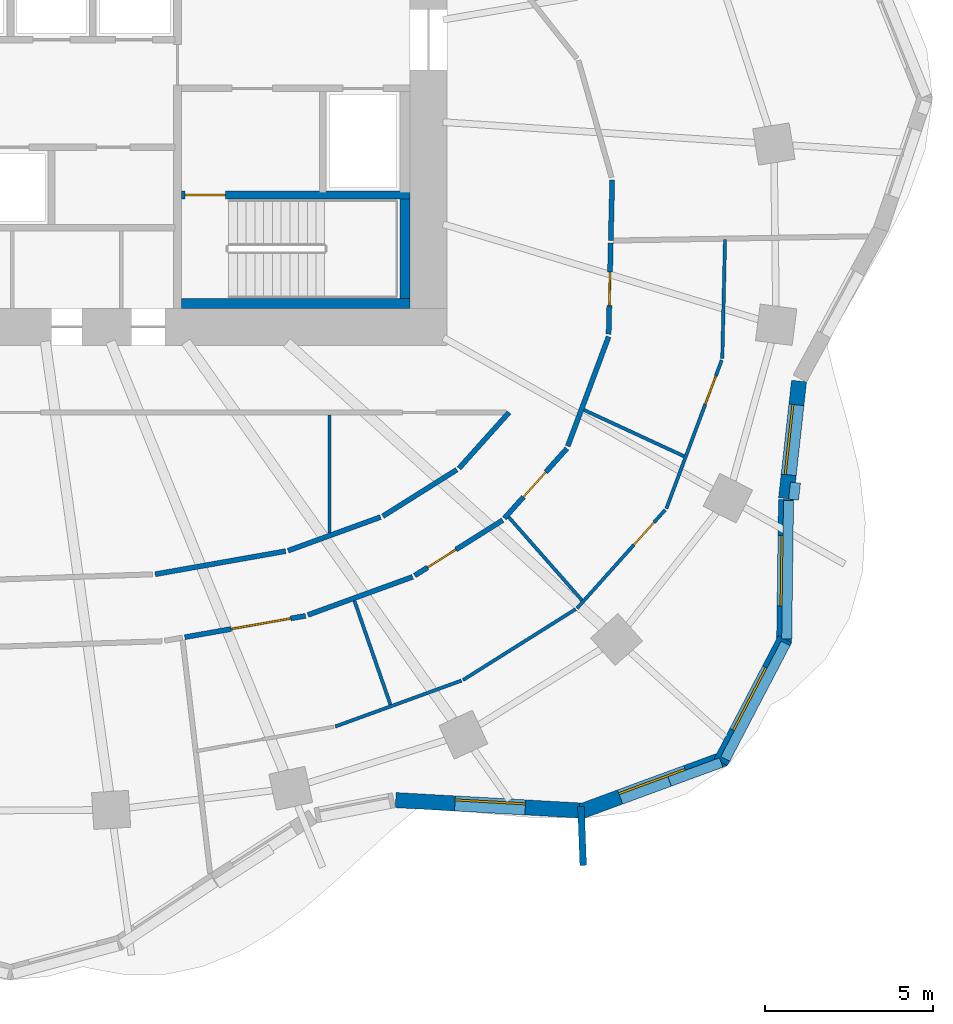
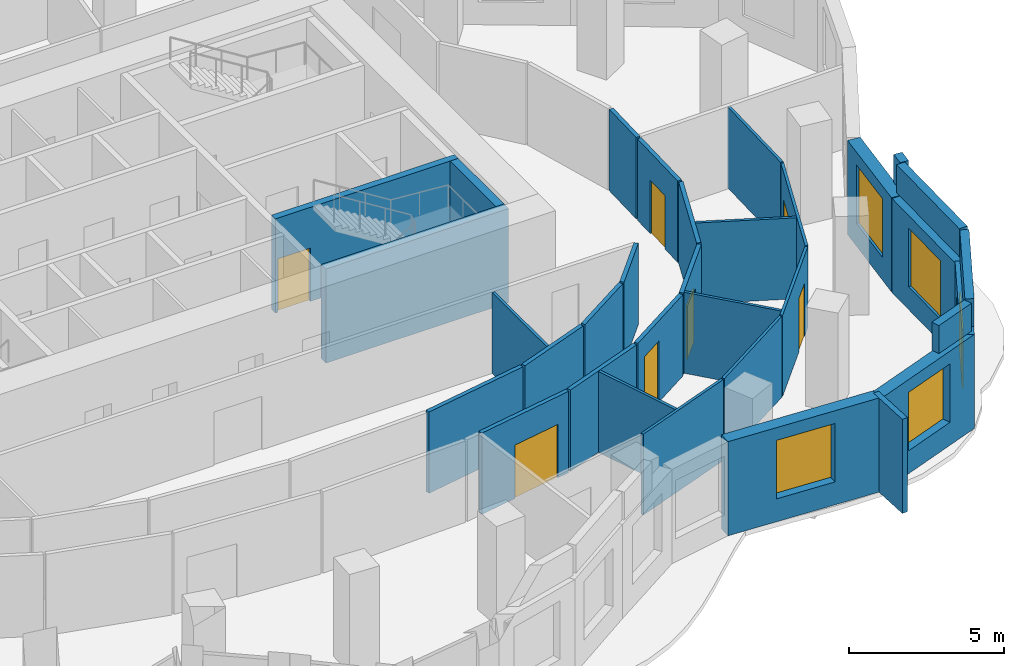
# One storey, part 6 of 10: 33 walls, 7 doors, 5 windows, 12 openings.
"""IFC4 building model written with IfcOpenShell, lengths in metres."""

from ifc_helpers import new_model, si_unit, direction, frame, frame_2d, origin, place, context, subcontext, project, spatial, rectangle, extrude, material, layer, layer_set, type_object, element, fill, save


model = new_model("IFC4")

# Units and contexts
model_context = context("Model", 3, precision=1e-05, world=origin(), true_north=direction((0.0, 1.0)))
body_context = subcontext(model_context, "Body", "Model", "MODEL_VIEW")
ifc_project = project(units=[si_unit("LENGTHUNIT", "METRE"), si_unit("AREAUNIT", "SQUARE_METRE"), si_unit("VOLUMEUNIT", "CUBIC_METRE"), si_unit("PLANEANGLEUNIT", "RADIAN"), si_unit("MASSUNIT", "GRAM", prefix="KILO")], contexts=[model_context])

# Site, building, storey
site_placement = place(None, origin())
site = spatial("IfcSite", under=ifc_project, at=site_placement, CompositionType="ELEMENT")
building_placement = place(site_placement, origin())
building = spatial("IfcBuilding", under=site, at=building_placement, Name="Rubra Terraces Tower", CompositionType="ELEMENT")
storey_placement = place(building_placement, frame((0.0, 0.0, 157.800048828125)))
storey = spatial("IfcBuildingStorey", under=building, at=storey_placement, Name="L38", CompositionType="ELEMENT", Elevation=157.800048828125)

# Wall, opening, window
ifc_material_1 = material(Name="Brick masonry red-brown", Category="masonry")
ifc_layer_1 = layer(ifc_material_1, 0.449951171875)
ifc_layer_set_1 = layer_set([ifc_layer_1], Name="Brick masonry red-brown")
wall_type_1 = type_object("IfcWallType", Name="Brick facade wall 450", PredefinedType="SOLIDWALL", material=ifc_layer_set_1)
wall_1_placement = place(storey_placement, frame((11.472900390625, -16.54296875, 0.0), z_axis=(0.0, 0.0, 1.0), x_axis=(0.998421029491, -0.056173373311, 0.0)))
wall_1 = element("IfcWall", 1, at=wall_1_placement, inside=storey, type_object=wall_type_1, Name="Facade wall L38 bay 35", PredefinedType="SOLIDWALL", context=body_context, shape_type="SweptSolid", body=[
    extrude(rectangle(XDim=5.632568359375, YDim=0.449951171875, at=frame_2d((2.81640625, 0.0))), origin(), (0.0, 0.0, 1.0), 3.699951171875),
])
opening_1_placement = place(wall_1_placement, frame((1.766357421875, 0.0, 0.89990234375)))
opening_1 = element("IfcOpeningElement", 2, at=opening_1_placement, cuts=wall_1, Name="Opening W1B", PredefinedType="OPENING", context=body_context, shape_type="SweptSolid", body=[
    extrude(rectangle(XDim=2.10009765625, YDim=2.300048828125, at=frame_2d((1.050048828125, 1.14990234375))), frame((0.0, 0.23486328125, 0.0), z_axis=(0.0, -1.0, 0.0), x_axis=(1.0, 0.0, 0.0)), (0.0, 0.0, 1.0), 0.469970703125),
])
ifc_material_2 = material(Name="Clear glass in aluminium frame", Category="aluminium")
window_type = type_object("IfcWindowType", Name="Fixed deep-set window tall storey 2100 x 2300", PartitioningType="SINGLE_PANEL", PredefinedType="WINDOW", material=ifc_material_2)
window_1_placement = place(opening_1_placement, origin())
window_1 = element("IfcWindow", 3, at=window_1_placement, inside=storey, type_object=window_type, Name="Window L38 bay 35", OverallHeight=2.300048828125, OverallWidth=2.10009765625, PartitioningType="SINGLE_PANEL", PredefinedType="WINDOW", context=body_context, shape_type="SweptSolid", body=[
    extrude(rectangle(XDim=2.10009765625, YDim=2.300048828125, at=frame_2d((1.050048828125, 1.14990234375))), frame((0.0, 0.135009765625, 0.0), z_axis=(0.0, -1.0, 0.0), x_axis=(1.0, 0.0, 0.0)), (0.0, 0.0, 1.0), 0.06005859375),
])
fill(opening_1, window_1)

wall_2_placement = place(storey_placement, frame((17.00634765625, -16.872802734375, 0.0), z_axis=(0.0, 0.0, 1.0), x_axis=(0.938563728531, 0.345105965591, 0.0)))
wall_2 = element("IfcWall", 4, at=wall_2_placement, inside=storey, type_object=wall_type_1, Name="Facade wall L38 bay 36", PredefinedType="SOLIDWALL", context=body_context, shape_type="SweptSolid", body=[
    extrude(rectangle(XDim=4.549560546875, YDim=0.449951171875, at=frame_2d((2.27490234375, 0.0))), origin(), (0.0, 0.0, 1.0), 3.699951171875),
])
opening_2_placement = place(wall_2_placement, frame((1.224609375, 0.0, 0.89990234375)))
opening_2 = element("IfcOpeningElement", 5, at=opening_2_placement, cuts=wall_2, Name="Opening W1B", PredefinedType="OPENING", context=body_context, shape_type="SweptSolid", body=[
    extrude(rectangle(XDim=2.10009765625, YDim=2.300048828125, at=frame_2d((1.050048828125, 1.14990234375))), frame((0.0, 0.23486328125, 0.0), z_axis=(0.0, -1.0, 0.0), x_axis=(1.0, 0.0, 0.0)), (0.0, 0.0, 1.0), 0.469970703125),
])
window_2_placement = place(opening_2_placement, origin())
window_2 = element("IfcWindow", 6, at=window_2_placement, inside=storey, type_object=window_type, Name="Window L38 bay 36", OverallHeight=2.300048828125, OverallWidth=2.10009765625, PartitioningType="SINGLE_PANEL", PredefinedType="WINDOW", context=body_context, shape_type="SweptSolid", body=[
    extrude(rectangle(XDim=2.10009765625, YDim=2.300048828125, at=frame_2d((1.050048828125, 1.14990234375))), frame((0.0, 0.135009765625, 0.0), z_axis=(0.0, -1.0, 0.0), x_axis=(1.0, 0.0, 0.0)), (0.0, 0.0, 1.0), 0.06005859375),
])
fill(opening_2, window_2)

wall_3_placement = place(storey_placement, frame((21.154541015625, -15.409912109375, 0.0), z_axis=(0.0, 0.0, 1.0), x_axis=(0.46287314096, 0.886424534508, 0.0)))
wall_3 = element("IfcWall", 7, at=wall_3_placement, inside=storey, type_object=wall_type_1, Name="Facade wall L38 bay 37", PredefinedType="SOLIDWALL", context=body_context, shape_type="SweptSolid", body=[
    extrude(rectangle(XDim=4.12890625, YDim=0.449951171875, at=frame_2d((2.064453125, 0.0))), origin(), (0.0, 0.0, 1.0), 3.699951171875),
])
opening_3_placement = place(wall_3_placement, frame((1.014404296875, 0.0, 0.89990234375)))
opening_3 = element("IfcOpeningElement", 8, at=opening_3_placement, cuts=wall_3, Name="Opening W1B", PredefinedType="OPENING", context=body_context, shape_type="SweptSolid", body=[
    extrude(rectangle(XDim=2.10009765625, YDim=2.300048828125, at=frame_2d((1.050048828125, 1.14990234375))), frame((0.0, 0.23486328125, 0.0), z_axis=(0.0, -1.0, 0.0), x_axis=(1.0, 0.0, 0.0)), (0.0, 0.0, 1.0), 0.469970703125),
])
window_3_placement = place(opening_3_placement, origin())
window_3 = element("IfcWindow", 9, at=window_3_placement, inside=storey, type_object=window_type, Name="Window L38 bay 37", OverallHeight=2.300048828125, OverallWidth=2.10009765625, PartitioningType="SINGLE_PANEL", PredefinedType="WINDOW", context=body_context, shape_type="SweptSolid", body=[
    extrude(rectangle(XDim=2.10009765625, YDim=2.300048828125, at=frame_2d((1.050048828125, 1.14990234375))), frame((0.0, 0.135009765625, 0.0), z_axis=(0.0, -1.0, 0.0), x_axis=(1.0, 0.0, 0.0)), (0.0, 0.0, 1.0), 0.06005859375),
])
fill(opening_3, window_3)

wall_4_placement = place(storey_placement, frame((23.040283203125, -11.845703125, 0.0), z_axis=(0.0, 0.0, 1.0), x_axis=(0.013130354873, 0.999913793175, 0.0)))
wall_4 = element("IfcWall", 10, at=wall_4_placement, inside=storey, type_object=wall_type_1, Name="Facade wall L38 bay 38", PredefinedType="SOLIDWALL", context=body_context, shape_type="SweptSolid", body=[
    extrude(rectangle(XDim=4.258056640625, YDim=0.449951171875, at=frame_2d((2.12890625, 0.0))), origin(), (0.0, 0.0, 1.0), 3.699951171875),
])
opening_4_placement = place(wall_4_placement, frame((1.0791015625, 0.0, 0.89990234375)))
opening_4 = element("IfcOpeningElement", 11, at=opening_4_placement, cuts=wall_4, Name="Opening W1B", PredefinedType="OPENING", context=body_context, shape_type="SweptSolid", body=[
    extrude(rectangle(XDim=2.10009765625, YDim=2.300048828125, at=frame_2d((1.050048828125, 1.14990234375))), frame((0.0, 0.23486328125, 0.0), z_axis=(0.0, -1.0, 0.0), x_axis=(1.0, 0.0, 0.0)), (0.0, 0.0, 1.0), 0.469970703125),
])
window_4_placement = place(opening_4_placement, origin())
window_4 = element("IfcWindow", 12, at=window_4_placement, inside=storey, type_object=window_type, Name="Window L38 bay 38", OverallHeight=2.300048828125, OverallWidth=2.10009765625, PartitioningType="SINGLE_PANEL", PredefinedType="WINDOW", context=body_context, shape_type="SweptSolid", body=[
    extrude(rectangle(XDim=2.10009765625, YDim=2.300048828125, at=frame_2d((1.050048828125, 1.14990234375))), frame((0.0, 0.135009765625, 0.0), z_axis=(0.0, -1.0, 0.0), x_axis=(1.0, 0.0, 0.0)), (0.0, 0.0, 1.0), 0.06005859375),
])
fill(opening_4, window_4)

wall_5_placement = place(storey_placement, frame((23.09814453125, -7.565185546875, 0.0), z_axis=(0.0, 0.0, 1.0), x_axis=(0.109380912292, 0.993999907458, 0.0)))
wall_5 = element("IfcWall", 13, at=wall_5_placement, inside=storey, type_object=wall_type_1, Name="Facade wall L38 bay 39", PredefinedType="SOLIDWALL", context=body_context, shape_type="SweptSolid", body=[
    extrude(rectangle(XDim=3.52001953125, YDim=0.449951171875, at=frame_2d((1.760009765625, 0.0))), origin(), (0.0, 0.0, 1.0), 3.699951171875),
])
opening_5_placement = place(wall_5_placement, frame((0.7099609375, 0.0, 0.89990234375)))
opening_5 = element("IfcOpeningElement", 14, at=opening_5_placement, cuts=wall_5, Name="Opening W1B", PredefinedType="OPENING", context=body_context, shape_type="SweptSolid", body=[
    extrude(rectangle(XDim=2.10009765625, YDim=2.300048828125, at=frame_2d((1.050048828125, 1.14990234375))), frame((0.0, 0.23486328125, 0.0), z_axis=(0.0, -1.0, 0.0), x_axis=(1.0, 0.0, 0.0)), (0.0, 0.0, 1.0), 0.469970703125),
])
window_5_placement = place(opening_5_placement, origin())
window_5 = element("IfcWindow", 15, at=window_5_placement, inside=storey, type_object=window_type, Name="Window L38 bay 39", OverallHeight=2.300048828125, OverallWidth=2.10009765625, PartitioningType="SINGLE_PANEL", PredefinedType="WINDOW", context=body_context, shape_type="SweptSolid", body=[
    extrude(rectangle(XDim=2.10009765625, YDim=2.300048828125, at=frame_2d((1.050048828125, 1.14990234375))), frame((0.0, 0.135009765625, 0.0), z_axis=(0.0, -1.0, 0.0), x_axis=(1.0, 0.0, 0.0)), (0.0, 0.0, 1.0), 0.06005859375),
])
fill(opening_5, window_5)

# Walls
ifc_layer_2 = layer(ifc_material_1, 0.300048828125)
ifc_layer_set_2 = layer_set([ifc_layer_2], Name="Brick masonry red-brown")
wall_type_2 = type_object("IfcWallType", Name="Brick parapet 300", PredefinedType="PARAPET", material=ifc_layer_set_2)
wall_6_placement = place(storey_placement, frame((19.630126953125, -15.988037109375, 3.89990234375), z_axis=(0.0, 0.0, 1.0), x_axis=(0.938567178283, 0.345096583364, 0.0)))
element("IfcWall", 16, at=wall_6_placement, inside=storey, type_object=wall_type_2, Name="Parapet L38 bay 36", PredefinedType="PARAPET", context=body_context, shape_type="SweptSolid", body=[
    extrude(rectangle(XDim=1.6357421875, YDim=0.300048828125, at=frame_2d((0.81787109375, 0.0))), origin(), (0.0, 0.0, 1.0), 1.10009765625),
])
wall_7_placement = place(storey_placement, frame((21.28857421875, -15.315185546875, 3.89990234375), z_axis=(0.0, 0.0, 1.0), x_axis=(0.46286906941, 0.886426660578, 0.0)))
element("IfcWall", 17, at=wall_7_placement, inside=storey, type_object=wall_type_2, Name="Parapet L38 bay 37", PredefinedType="PARAPET", context=body_context, shape_type="SweptSolid", body=[
    extrude(rectangle(XDim=3.881591796875, YDim=0.300048828125, at=frame_2d((1.94091796875, 0.0))), origin(), (0.0, 0.0, 1.0), 1.10009765625),
])
wall_8_placement = place(storey_placement, frame((23.116455078125, -11.75048828125, 3.89990234375), z_axis=(0.0, 0.0, 1.0), x_axis=(0.013134184422, 0.99991374288, 0.0)))
element("IfcWall", 18, at=wall_8_placement, inside=storey, type_object=wall_type_2, Name="Parapet L38 bay 38", PredefinedType="PARAPET", context=body_context, shape_type="SweptSolid", body=[
    extrude(rectangle(XDim=4.12646484375, YDim=0.300048828125, at=frame_2d((2.063232421875, 0.0))), origin(), (0.0, 0.0, 1.0), 1.10009765625),
])
wall_9_placement = place(storey_placement, frame((23.321044921875, -7.59619140625, 3.89990234375), z_axis=(0.0, 0.0, 1.0), x_axis=(0.109378398632, 0.994000184061, 0.0)))
element("IfcWall", 19, at=wall_9_placement, inside=storey, type_object=wall_type_2, Name="Parapet L38 bay 39", PredefinedType="PARAPET", context=body_context, shape_type="SweptSolid", body=[
    extrude(rectangle(XDim=0.509033203125, YDim=0.300048828125, at=frame_2d((0.25439453125, 0.0))), origin(), (0.0, 0.0, 1.0), 1.10009765625),
])
ifc_layer_3 = layer(ifc_material_1, 0.199951171875)
ifc_layer_set_3 = layer_set([ifc_layer_3], Name="Brick masonry red-brown")
wall_type_3 = type_object("IfcWallType", Name="Brick wind fin 200", PredefinedType="SOLIDWALL", material=ifc_layer_set_3)
wall_10_placement = place(storey_placement, frame((16.989990234375, -16.737060546875, 0.0), z_axis=(0.0, 0.0, 1.0), x_axis=(0.038084872359, -0.999274508079, 0.0)))
element("IfcWall", 20, at=wall_10_placement, inside=storey, type_object=wall_type_3, Name="Wind fin L38 18", PredefinedType="SOLIDWALL", context=body_context, shape_type="SweptSolid", body=[
    extrude(rectangle(XDim=1.75, YDim=0.199951171875, at=frame_2d((0.875, 0.0))), origin(), (0.0, 0.0, 1.0), 3.699951171875),
])
ifc_material_3 = material(Name="Plasterboard on steel stud, mineral wool infill", Category="steel")
ifc_layer_4 = layer(ifc_material_3, 0.14990234375)
ifc_layer_set_4 = layer_set([ifc_layer_4], Name="Plasterboard on steel stud, mineral wool infill")
wall_type_4 = type_object("IfcWallType", Name="CORRIDOR PARTITION 150", PredefinedType="PARTITIONING", material=ifc_layer_set_4)
wall_11_placement = place(storey_placement, frame((17.878662109375, 0.117919921875, 0.0), z_axis=(0.0, 0.0, 1.0), x_axis=(0.023064558848, 0.999733977679, 0.0)))
element("IfcWall", 21, at=wall_11_placement, inside=storey, type_object=wall_type_4, Name="PARTITION", PredefinedType="PARTITIONING", context=body_context, shape_type="SweptSolid", body=[
    extrude(rectangle(XDim=1.81005859375, YDim=0.14990234375, at=frame_2d((0.905029296875, 0.0))), origin(), (0.0, 0.0, 1.0), 3.197998046875),
])

# Wall, opening, door
wall_12_placement = place(storey_placement, frame((5.193603515625, -11.6923828125, 0.0), z_axis=(0.0, 0.0, 1.0), x_axis=(0.984692559416, 0.174300210646, 0.0)))
wall_12 = element("IfcWall", 22, at=wall_12_placement, inside=storey, type_object=wall_type_4, Name="PARTITION", PredefinedType="PARTITIONING", context=body_context, shape_type="SweptSolid", body=[
    extrude(rectangle(XDim=3.651611328125, YDim=0.14990234375, at=frame_2d((1.82568359375, 0.0))), origin(), (0.0, 0.0, 1.0), 3.197998046875),
])
opening_6_placement = place(wall_12_placement, frame((1.39990234375, 0.0, 0.0)))
opening_6 = element("IfcOpeningElement", 23, at=opening_6_placement, cuts=wall_12, Name="Opening 38-113", PredefinedType="OPENING", context=body_context, shape_type="SweptSolid", body=[
    extrude(rectangle(XDim=1.800048828125, YDim=2.10009765625, at=frame_2d((0.89990234375, 1.050048828125))), frame((0.0, 0.0849609375, 0.0), z_axis=(0.0, -1.0, 0.0), x_axis=(1.0, 0.0, 0.0)), (0.0, 0.0, 1.0), 0.169921875),
])
ifc_material_4 = material(Name="Painted timber door leaf, double", Category="wood")
door_type_1 = type_object("IfcDoorType", Name="ROOM DOUBLE DOOR 1800 X 2100", OperationType="DOUBLE_DOOR_SINGLE_SWING", PredefinedType="DOOR", material=ifc_material_4)
door_1_placement = place(opening_6_placement, origin())
door_1 = element("IfcDoor", 24, at=door_1_placement, inside=storey, type_object=door_type_1, Name="DOOR 38-113", OperationType="DOUBLE_DOOR_SINGLE_SWING", OverallHeight=2.10009765625, OverallWidth=1.800048828125, PredefinedType="DOOR", context=body_context, shape_type="SweptSolid", body=[
    extrude(rectangle(XDim=1.800048828125, YDim=2.10009765625, at=frame_2d((0.89990234375, 1.050048828125))), frame((0.0, 0.02490234375, 0.0), z_axis=(0.0, -1.0, 0.0), x_axis=(1.0, 0.0, 0.0)), (0.0, 0.0, 1.0), 0.050048828125),
])
fill(opening_6, door_1)

# Wall
wall_13_placement = place(storey_placement, frame((8.85986328125, -11.030029296875, 0.0), z_axis=(0.0, 0.0, 1.0), x_axis=(0.939685902536, 0.342038601001, 0.0)))
element("IfcWall", 25, at=wall_13_placement, inside=storey, type_object=wall_type_4, Name="PARTITION", PredefinedType="PARTITIONING", context=body_context, shape_type="SweptSolid", body=[
    extrude(rectangle(XDim=3.316162109375, YDim=0.14990234375, at=frame_2d((1.658203125, 0.0))), origin(), (0.0, 0.0, 1.0), 3.197998046875),
])

# Wall, opening, door
wall_14_placement = place(storey_placement, frame((12.03955078125, -9.85595703125, 0.0), z_axis=(0.0, 0.0, 1.0), x_axis=(0.846394809937, 0.532555936697, 0.0)))
wall_14 = element("IfcWall", 26, at=wall_14_placement, inside=storey, type_object=wall_type_4, Name="PARTITION", PredefinedType="PARTITIONING", context=body_context, shape_type="SweptSolid", body=[
    extrude(rectangle(XDim=3.09521484375, YDim=0.14990234375, at=frame_2d((1.547607421875, 0.0))), origin(), (0.0, 0.0, 1.0), 3.197998046875),
])
opening_7_placement = place(wall_14_placement, frame((0.449951171875, 0.0, 0.0)))
opening_7 = element("IfcOpeningElement", 27, at=opening_7_placement, cuts=wall_14, Name="Opening 38-114", PredefinedType="OPENING", context=body_context, shape_type="SweptSolid", body=[
    extrude(rectangle(XDim=1.0, YDim=2.39990234375, at=frame_2d((0.5, 1.199951171875))), frame((0.0, 0.0849609375, 0.0), z_axis=(0.0, -1.0, 0.0), x_axis=(1.0, 0.0, 0.0)), (0.0, 0.0, 1.0), 0.169921875),
])
ifc_material_5 = material(Name="Glazed aluminium meeting door leaf", Category="aluminium")
door_type_2 = type_object("IfcDoorType", Name="MEETING ROOM GLAZED DOOR 1000 X 2400", OperationType="SINGLE_SWING_LEFT", PredefinedType="DOOR", material=ifc_material_5)
door_2_placement = place(opening_7_placement, origin())
door_2 = element("IfcDoor", 28, at=door_2_placement, inside=storey, type_object=door_type_2, Name="DOOR 38-114", OperationType="SINGLE_SWING_RIGHT", OverallHeight=2.39990234375, OverallWidth=1.0, PredefinedType="DOOR", context=body_context, shape_type="SweptSolid", body=[
    extrude(rectangle(XDim=1.0, YDim=2.39990234375, at=frame_2d((0.5, 1.199951171875))), frame((0.0, 0.02490234375, 0.0), z_axis=(0.0, -1.0, 0.0), x_axis=(1.0, 0.0, 0.0)), (0.0, 0.0, 1.0), 0.050048828125),
])
fill(opening_7, door_2)

wall_15_placement = place(storey_placement, frame((14.70947265625, -8.151611328125, 0.0), z_axis=(0.0, 0.0, 1.0), x_axis=(0.667275630306, 0.744810870758, 0.0)))
wall_15 = element("IfcWall", 29, at=wall_15_placement, inside=storey, type_object=wall_type_4, Name="PARTITION", PredefinedType="PARTITIONING", context=body_context, shape_type="SweptSolid", body=[
    extrude(rectangle(XDim=2.789794921875, YDim=0.14990234375, at=frame_2d((1.39501953125, 0.0))), origin(), (0.0, 0.0, 1.0), 3.197998046875),
])
opening_8_placement = place(wall_15_placement, frame((0.85009765625, 0.0, 0.0)))
opening_8 = element("IfcOpeningElement", 30, at=opening_8_placement, cuts=wall_15, Name="Opening 38-124", PredefinedType="OPENING", context=body_context, shape_type="SweptSolid", body=[
    extrude(rectangle(XDim=1.0, YDim=2.10009765625, at=frame_2d((0.5, 1.050048828125))), frame((0.0, 0.0849609375, 0.0), z_axis=(0.0, -1.0, 0.0), x_axis=(1.0, 0.0, 0.0)), (0.0, 0.0, 1.0), 0.169921875),
])
ifc_material_6 = material(Name="Painted timber door leaf", Category="wood")
door_type_3 = type_object("IfcDoorType", Name="ROOM DOOR 1000 X 2100", OperationType="SINGLE_SWING_LEFT", PredefinedType="DOOR", material=ifc_material_6)
door_3_placement = place(opening_8_placement, origin())
door_3 = element("IfcDoor", 31, at=door_3_placement, inside=storey, type_object=door_type_3, Name="DOOR 38-124", OperationType="SINGLE_SWING_RIGHT", OverallHeight=2.10009765625, OverallWidth=1.0, PredefinedType="DOOR", context=body_context, shape_type="SweptSolid", body=[
    extrude(rectangle(XDim=1.0, YDim=2.10009765625, at=frame_2d((0.5, 1.050048828125))), frame((0.0, 0.02490234375, 0.0), z_axis=(0.0, -1.0, 0.0), x_axis=(1.0, 0.0, 0.0)), (0.0, 0.0, 1.0), 0.050048828125),
])
fill(opening_8, door_3)

# Wall
wall_16_placement = place(storey_placement, frame((16.597412109375, -6.00341796875, 0.0), z_axis=(0.0, 0.0, 1.0), x_axis=(0.349499455299, 0.936936567088, 0.0)))
element("IfcWall", 32, at=wall_16_placement, inside=storey, type_object=wall_type_4, Name="PARTITION", PredefinedType="PARTITIONING", context=body_context, shape_type="SweptSolid", body=[
    extrude(rectangle(XDim=3.477294921875, YDim=0.14990234375, at=frame_2d((1.73876953125, 0.0))), origin(), (0.0, 0.0, 1.0), 3.197998046875),
])

# Wall, opening, door
wall_17_placement = place(storey_placement, frame((17.814453125, -2.67041015625, 0.0), z_axis=(0.0, 0.0, 1.0), x_axis=(0.02302997412, 0.999734774974, 0.0)))
wall_17 = element("IfcWall", 33, at=wall_17_placement, inside=storey, type_object=wall_type_4, Name="PARTITION", PredefinedType="PARTITIONING", context=body_context, shape_type="SweptSolid", body=[
    extrude(rectangle(XDim=2.7138671875, YDim=0.14990234375, at=frame_2d((1.35693359375, 0.0))), origin(), (0.0, 0.0, 1.0), 3.197998046875),
])
opening_9_placement = place(wall_17_placement, frame((0.85009765625, 0.0, 0.0)))
opening_9 = element("IfcOpeningElement", 34, at=opening_9_placement, cuts=wall_17, Name="Opening 38-125", PredefinedType="OPENING", context=body_context, shape_type="SweptSolid", body=[
    extrude(rectangle(XDim=1.0, YDim=2.10009765625, at=frame_2d((0.5, 1.050048828125))), frame((0.0, 0.0849609375, 0.0), z_axis=(0.0, -1.0, 0.0), x_axis=(1.0, 0.0, 0.0)), (0.0, 0.0, 1.0), 0.169921875),
])
door_4_placement = place(opening_9_placement, origin())
door_4 = element("IfcDoor", 35, at=door_4_placement, inside=storey, type_object=door_type_3, Name="DOOR 38-125", OperationType="SINGLE_SWING_RIGHT", OverallHeight=2.10009765625, OverallWidth=1.0, PredefinedType="DOOR", context=body_context, shape_type="SweptSolid", body=[
    extrude(rectangle(XDim=1.0, YDim=2.10009765625, at=frame_2d((0.5, 1.050048828125))), frame((0.0, 0.02490234375, 0.0), z_axis=(0.0, -1.0, 0.0), x_axis=(1.0, 0.0, 0.0)), (0.0, 0.0, 1.0), 0.050048828125),
])
fill(opening_9, door_4)

# Walls
wall_18_placement = place(storey_placement, frame((14.847900390625, -5.0, 0.0), z_axis=(0.0, 0.0, 1.0), x_axis=(-0.667363249373, -0.744732363595, 0.0)))
element("IfcWall", 36, at=wall_18_placement, inside=storey, type_object=wall_type_4, Name="PARTITION", PredefinedType="PARTITIONING", context=body_context, shape_type="SweptSolid", body=[
    extrude(rectangle(XDim=2.234130859375, YDim=0.14990234375, at=frame_2d((1.1171875, 0.0))), origin(), (0.0, 0.0, 1.0), 3.197998046875),
])
wall_19_placement = place(storey_placement, frame((13.29345703125, -6.703857421875, 0.0), z_axis=(0.0, 0.0, 1.0), x_axis=(-0.84641299998, -0.532527026041, 0.0)))
element("IfcWall", 37, at=wall_19_placement, inside=storey, type_object=wall_type_4, Name="PARTITION", PredefinedType="PARTITIONING", context=body_context, shape_type="SweptSolid", body=[
    extrude(rectangle(XDim=2.601806640625, YDim=0.14990234375, at=frame_2d((1.30078125, 0.0))), origin(), (0.0, 0.0, 1.0), 3.197998046875),
])
wall_20_placement = place(storey_placement, frame((11.02099609375, -8.114990234375, 0.0), z_axis=(0.0, 0.0, 1.0), x_axis=(-0.939683845313, -0.342044252778, 0.0)))
element("IfcWall", 38, at=wall_20_placement, inside=storey, type_object=wall_type_4, Name="PARTITION", PredefinedType="PARTITIONING", context=body_context, shape_type="SweptSolid", body=[
    extrude(rectangle(XDim=2.9287109375, YDim=0.14990234375, at=frame_2d((1.46435546875, 0.0))), origin(), (0.0, 0.0, 1.0), 3.197998046875),
])
wall_21_placement = place(storey_placement, frame((8.1953125, -9.1298828125, 0.0), z_axis=(0.0, 0.0, 1.0), x_axis=(-0.9846880937, -0.174325437403, 0.0)))
element("IfcWall", 39, at=wall_21_placement, inside=storey, type_object=wall_type_4, Name="PARTITION", PredefinedType="PARTITIONING", context=body_context, shape_type="SweptSolid", body=[
    extrude(rectangle(XDim=3.945068359375, YDim=0.14990234375, at=frame_2d((1.97265625, 0.0))), origin(), (0.0, 0.0, 1.0), 3.197998046875),
])
ifc_material_7 = material(Name="Concrete C40", Category="concrete")
ifc_layer_5 = layer(ifc_material_7, 0.300048828125)
ifc_layer_set_5 = layer_set([ifc_layer_5], Name="Concrete C40")
wall_type_5 = type_object("IfcWallType", Name="Core lining wall 300 concrete", PredefinedType="SOLIDWALL", material=ifc_layer_set_5)
wall_22_placement = place(storey_placement, frame((11.75, 1.35009765625, 0.0), z_axis=(0.0, 0.0, 1.0), x_axis=(0.0, -1.0, 0.0)))
element("IfcWall", 40, at=wall_22_placement, inside=storey, type_object=wall_type_5, Name="CORE LINING WALL L38", PredefinedType="SOLIDWALL", context=body_context, shape_type="SweptSolid", body=[
    extrude(rectangle(XDim=2.9501953125, YDim=0.300048828125, at=frame_2d((1.47509765625, 0.0))), origin(), (0.0, 0.0, 1.0), 3.699951171875),
])
wall_23_placement = place(storey_placement, frame((11.89990234375, -1.75, 0.0), z_axis=(0.0, 0.0, 1.0), x_axis=(-1.0, 0.0, 0.0)))
element("IfcWall", 41, at=wall_23_placement, inside=storey, type_object=wall_type_5, Name="CORE LINING WALL L38", PredefinedType="SOLIDWALL", context=body_context, shape_type="SweptSolid", body=[
    extrude(rectangle(XDim=6.7998046875, YDim=0.300048828125, at=frame_2d((3.39990234375, 0.0))), origin(), (0.0, 0.0, 1.0), 3.699951171875),
])
ifc_material_8 = material(Name="Plasterboard on steel stud", Category="steel")
ifc_layer_6 = layer(ifc_material_8, 0.10009765625)
ifc_layer_set_6 = layer_set([ifc_layer_6], Name="Plasterboard on steel stud")
wall_type_6 = type_object("IfcWallType", Name="ROOM PARTITION 100", PredefinedType="PARTITIONING", material=ifc_layer_set_6)
wall_24_placement = place(storey_placement, frame((21.280517578125, 0.1552734375, 0.0), z_axis=(0.0, 0.0, 1.0), x_axis=(-0.02308980071, -0.999733395012, 0.0)))
element("IfcWall", 42, at=wall_24_placement, inside=storey, type_object=wall_type_6, Name="PARTITION", PredefinedType="PARTITIONING", context=body_context, shape_type="SweptSolid", body=[
    extrude(rectangle(XDim=3.552734375, YDim=0.10009765625, at=frame_2d((1.7763671875, 0.0))), origin(), (0.0, 0.0, 1.0), 3.183837890625),
])

# Wall, opening, door
wall_25_placement = place(storey_placement, frame((21.180908203125, -3.443359375, 0.0), z_axis=(0.0, 0.0, 1.0), x_axis=(-0.349438657616, -0.936959243811, 0.0)))
wall_25 = element("IfcWall", 43, at=wall_25_placement, inside=storey, type_object=wall_type_6, Name="PARTITION", PredefinedType="PARTITIONING", context=body_context, shape_type="SweptSolid", body=[
    extrude(rectangle(XDim=4.718017578125, YDim=0.10009765625, at=frame_2d((2.35888671875, 0.0))), origin(), (0.0, 0.0, 1.0), 3.183837890625),
])
opening_10_placement = place(wall_25_placement, frame((0.5, 0.0, 0.0)))
opening_10 = element("IfcOpeningElement", 44, at=opening_10_placement, cuts=wall_25, Name="Opening 38-116", PredefinedType="OPENING", context=body_context, shape_type="SweptSolid", body=[
    extrude(rectangle(XDim=0.89990234375, YDim=2.10009765625, at=frame_2d((0.449951171875, 1.050048828125))), frame((0.0, 0.06005859375, 0.0), z_axis=(0.0, -1.0, 0.0), x_axis=(1.0, 0.0, 0.0)), (0.0, 0.0, 1.0), 0.1201171875),
])
door_type_4 = type_object("IfcDoorType", Name="ROOM DOOR 900 X 2100", OperationType="SINGLE_SWING_LEFT", PredefinedType="DOOR", material=ifc_material_6)
door_5_placement = place(opening_10_placement, origin())
door_5 = element("IfcDoor", 45, at=door_5_placement, inside=storey, type_object=door_type_4, Name="DOOR 38-116", OperationType="SINGLE_SWING_LEFT", OverallHeight=2.10009765625, OverallWidth=0.89990234375, PredefinedType="DOOR", context=body_context, shape_type="SweptSolid", body=[
    extrude(rectangle(XDim=0.89990234375, YDim=2.10009765625, at=frame_2d((0.449951171875, 1.050048828125))), frame((0.0, 0.02490234375, 0.0), z_axis=(0.0, -1.0, 0.0), x_axis=(1.0, 0.0, 0.0)), (0.0, 0.0, 1.0), 0.050048828125),
])
fill(opening_10, door_5)

wall_26_placement = place(storey_placement, frame((19.498779296875, -7.9013671875, 0.0), z_axis=(0.0, 0.0, 1.0), x_axis=(-0.667320762971, -0.744770433964, 0.0)))
wall_26 = element("IfcWall", 46, at=wall_26_placement, inside=storey, type_object=wall_type_6, Name="PARTITION", PredefinedType="PARTITIONING", context=body_context, shape_type="SweptSolid", body=[
    extrude(rectangle(XDim=3.93408203125, YDim=0.10009765625, at=frame_2d((1.967041015625, 0.0))), origin(), (0.0, 0.0, 1.0), 3.183837890625),
])
opening_11_placement = place(wall_26_placement, frame((0.5, 0.0, 0.0)))
opening_11 = element("IfcOpeningElement", 47, at=opening_11_placement, cuts=wall_26, Name="Opening 38-115", PredefinedType="OPENING", context=body_context, shape_type="SweptSolid", body=[
    extrude(rectangle(XDim=0.89990234375, YDim=2.10009765625, at=frame_2d((0.449951171875, 1.050048828125))), frame((0.0, 0.06005859375, 0.0), z_axis=(0.0, -1.0, 0.0), x_axis=(1.0, 0.0, 0.0)), (0.0, 0.0, 1.0), 0.1201171875),
])
door_6_placement = place(opening_11_placement, origin())
door_6 = element("IfcDoor", 48, at=door_6_placement, inside=storey, type_object=door_type_4, Name="DOOR 38-115", OperationType="SINGLE_SWING_LEFT", OverallHeight=2.10009765625, OverallWidth=0.89990234375, PredefinedType="DOOR", context=body_context, shape_type="SweptSolid", body=[
    extrude(rectangle(XDim=0.89990234375, YDim=2.10009765625, at=frame_2d((0.449951171875, 1.050048828125))), frame((0.0, 0.02490234375, 0.0), z_axis=(0.0, -1.0, 0.0), x_axis=(1.0, 0.0, 0.0)), (0.0, 0.0, 1.0), 0.050048828125),
])
fill(opening_11, door_6)

# Walls
wall_27_placement = place(storey_placement, frame((16.831298828125, -10.85791015625, 0.0), z_axis=(0.0, 0.0, 1.0), x_axis=(-0.846415033443, -0.532523793987, 0.0)))
element("IfcWall", 49, at=wall_27_placement, inside=storey, type_object=wall_type_6, Name="PARTITION", PredefinedType="PARTITIONING", context=body_context, shape_type="SweptSolid", body=[
    extrude(rectangle(XDim=3.959716796875, YDim=0.10009765625, at=frame_2d((1.97998046875, 0.0))), origin(), (0.0, 0.0, 1.0), 3.183837890625),
])
wall_28_placement = place(storey_placement, frame((13.432861328125, -12.983642578125, 0.0), z_axis=(0.0, 0.0, 1.0), x_axis=(-0.939673979614, -0.342071355182, 0.0)))
element("IfcWall", 50, at=wall_28_placement, inside=storey, type_object=wall_type_6, Name="PARTITION", PredefinedType="PARTITIONING", context=body_context, shape_type="SweptSolid", body=[
    extrude(rectangle(XDim=4.000244140625, YDim=0.10009765625, at=frame_2d((2.0, 0.0))), origin(), (0.0, 0.0, 1.0), 3.183837890625),
])
wall_29_placement = place(storey_placement, frame((10.24365234375, -10.606201171875, 0.0), z_axis=(0.0, 0.0, 1.0), x_axis=(0.327520147745, -0.944844194998, 0.0)))
element("IfcWall", 51, at=wall_29_placement, inside=storey, type_object=wall_type_6, Name="PARTITION", PredefinedType="PARTITIONING", context=body_context, shape_type="SweptSolid", body=[
    extrude(rectangle(XDim=3.275390625, YDim=0.10009765625, at=frame_2d((1.6376953125, 0.0))), origin(), (0.0, 0.0, 1.0), 3.183837890625),
])
wall_30_placement = place(storey_placement, frame((14.83984375, -8.11767578125, 0.0), z_axis=(0.0, 0.0, 1.0), x_axis=(0.661031535184, -0.750358120828, 0.0)))
element("IfcWall", 52, at=wall_30_placement, inside=storey, type_object=wall_type_6, Name="PARTITION", PredefinedType="PARTITIONING", context=body_context, shape_type="SweptSolid", body=[
    extrude(rectangle(XDim=3.298828125, YDim=0.10009765625, at=frame_2d((1.6494140625, 0.0))), origin(), (0.0, 0.0, 1.0), 3.183837890625),
])
wall_31_placement = place(storey_placement, frame((17.0791015625, -4.92578125, 0.0), z_axis=(0.0, 0.0, 1.0), x_axis=(0.90772648151, -0.4195624325, 0.0)))
element("IfcWall", 53, at=wall_31_placement, inside=storey, type_object=wall_type_6, Name="PARTITION", PredefinedType="PARTITIONING", context=body_context, shape_type="SweptSolid", body=[
    extrude(rectangle(XDim=3.28466796875, YDim=0.10009765625, at=frame_2d((1.642333984375, 0.0))), origin(), (0.0, 0.0, 1.0), 3.183837890625),
])
wall_32_placement = place(storey_placement, frame((9.5, -8.59375, 0.0), z_axis=(0.0, 0.0, 1.0), x_axis=(0.0, 1.0, 0.0)))
element("IfcWall", 54, at=wall_32_placement, inside=storey, type_object=wall_type_6, Name="PARTITION", PredefinedType="PARTITIONING", context=body_context, shape_type="SweptSolid", body=[
    extrude(rectangle(XDim=3.518798828125, YDim=0.10009765625, at=frame_2d((1.75927734375, 0.0))), origin(), (0.0, 0.0, 1.0), 3.183837890625),
])

# Wall, opening, door
ifc_layer_7 = layer(ifc_material_7, 0.25)
ifc_layer_set_7 = layer_set([ifc_layer_7], Name="Concrete C40")
wall_type_7 = type_object("IfcWallType", Name="Stair enclosure wall 250 concrete", PredefinedType="SOLIDWALL", material=ifc_layer_set_7)
wall_33_placement = place(storey_placement, frame((11.89990234375, 1.47509765625, 0.0), z_axis=(0.0, 0.0, 1.0), x_axis=(-1.0, 0.0, 0.0)))
wall_33 = element("IfcWall", 55, at=wall_33_placement, inside=storey, type_object=wall_type_7, Name="STAIR WALL L38", PredefinedType="SOLIDWALL", context=body_context, shape_type="SweptSolid", body=[
    extrude(rectangle(XDim=6.7998046875, YDim=0.25, at=frame_2d((3.39990234375, 0.0))), origin(), (0.0, 0.0, 1.0), 3.699951171875),
])
opening_12_placement = place(wall_33_placement, frame((5.5, 0.0, 0.0)))
opening_12 = element("IfcOpeningElement", 56, at=opening_12_placement, cuts=wall_33, Name="Opening L38.C10", PredefinedType="OPENING", context=body_context, shape_type="SweptSolid", body=[
    extrude(rectangle(XDim=1.199951171875, YDim=2.10009765625, at=frame_2d((0.60009765625, 1.050048828125))), frame((0.0, 0.135009765625, 0.0), z_axis=(0.0, -1.0, 0.0), x_axis=(1.0, 0.0, 0.0)), (0.0, 0.0, 1.0), 0.27001953125),
])
ifc_material_9 = material(Name="Painted steel", Category="steel")
door_type_5 = type_object("IfcDoorType", Name="Fire door 1200x2100 single", OperationType="NOTDEFINED", PredefinedType="DOOR", material=ifc_material_9)
door_7_placement = place(opening_12_placement, origin())
door_7 = element("IfcDoor", 57, at=door_7_placement, inside=storey, type_object=door_type_5, Name="Stair door S4", OperationType="SINGLE_SWING_RIGHT", OverallHeight=2.10009765625, OverallWidth=1.199951171875, PredefinedType="DOOR", context=body_context, shape_type="SweptSolid", body=[
    extrude(rectangle(XDim=1.199951171875, YDim=2.10009765625, at=frame_2d((0.60009765625, 1.050048828125))), frame((0.0, 0.02490234375, 0.0), z_axis=(0.0, -1.0, 0.0), x_axis=(1.0, 0.0, 0.0)), (0.0, 0.0, 1.0), 0.050048828125),
])
fill(opening_12, door_7)

save(model, "model.ifc")
